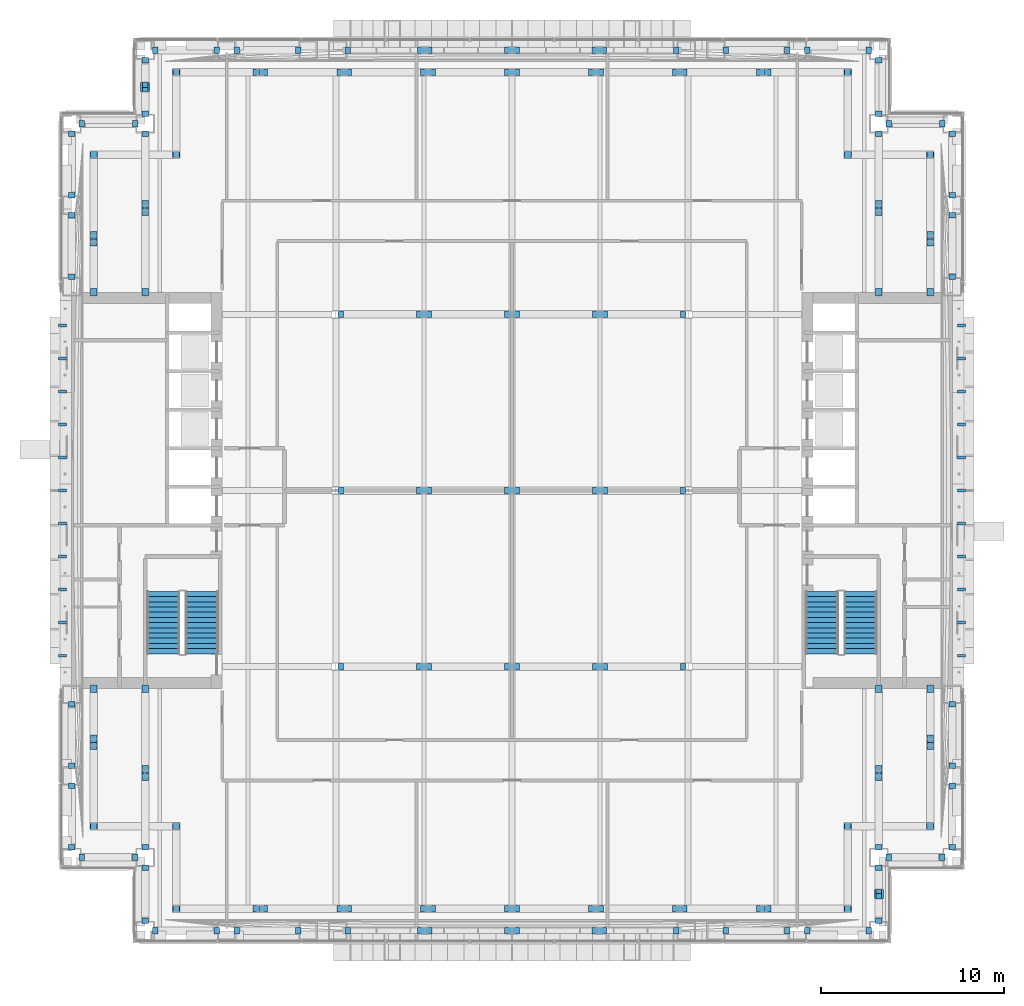
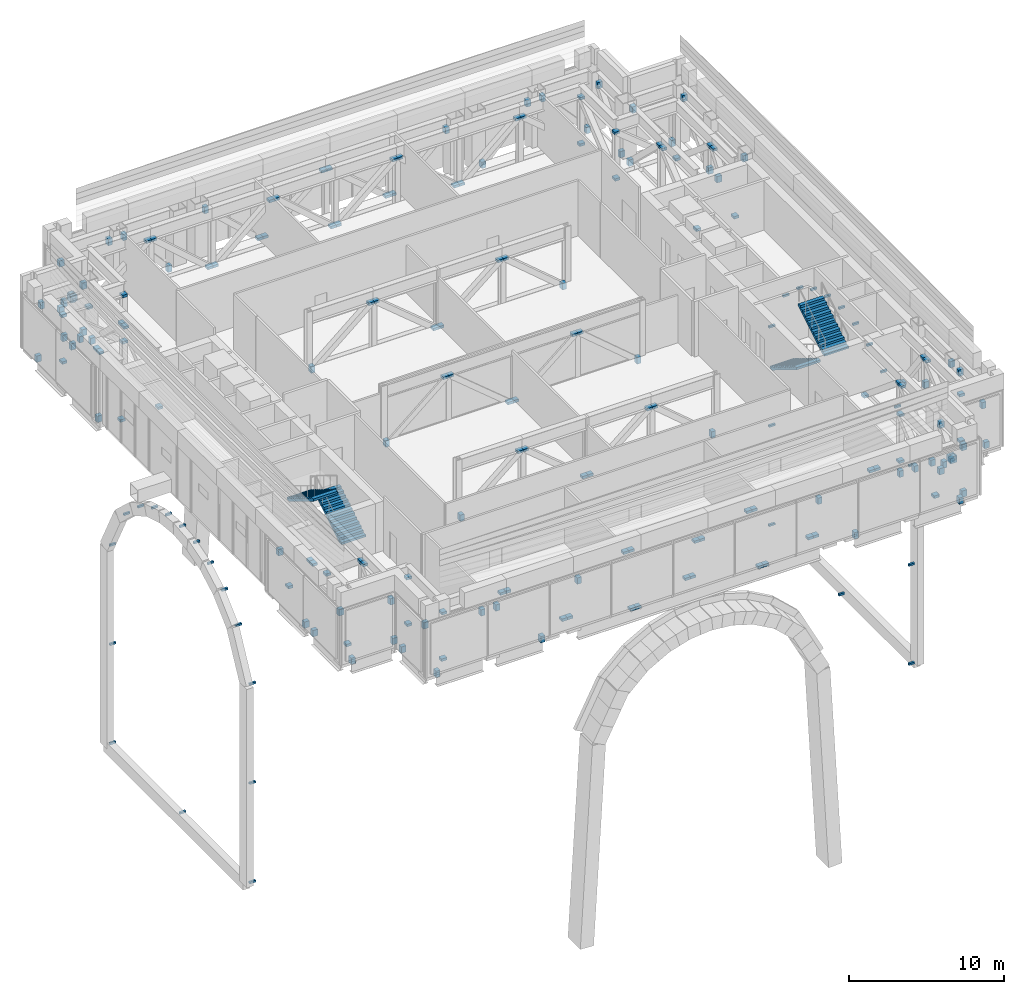
# One storey, part 20 of 39: 210 discrete accessories, 4 stair flights, 2 elements without a shape of their own.
"""IFC4 building model written with IfcOpenShell, lengths in metres."""

from ifc_helpers import new_model, si_unit, direction, frame, origin, origin_2d, place, context, subcontext, project, spatial, polyline, rectangle, outline, extrude, material, type_object, element, aggregate, save


model = new_model("IFC4")

# Units and contexts
model_context = context("Model", 3, precision=1e-05, world=origin(), true_north=direction((0.0, 1.0)))
body_context = subcontext(model_context, "Body", "Model", "MODEL_VIEW")
ifc_project = project(units=[si_unit("LENGTHUNIT", "METRE"), si_unit("AREAUNIT", "SQUARE_METRE"), si_unit("VOLUMEUNIT", "CUBIC_METRE"), si_unit("PLANEANGLEUNIT", "RADIAN"), si_unit("MASSUNIT", "GRAM", prefix="KILO")], contexts=[model_context])

# Site, building, storey
site_placement = place(None, origin())
site = spatial("IfcSite", under=ifc_project, at=site_placement, CompositionType="ELEMENT")
building_placement = place(site_placement, origin())
building = spatial("IfcBuilding", under=site, at=building_placement, Name="Cobrizo Arcos Hotel Tower", CompositionType="ELEMENT")
storey_placement = place(building_placement, frame((0.0, 0.0, 84.5)))
storey = spatial("IfcBuildingStorey", under=building, at=storey_placement, Name="L20", CompositionType="ELEMENT", Elevation=84.5)

# Stair, stair flights
ifc_material_1 = material(Name="Concrete f'c 40 MPa", Category="concrete")
stair_type = type_object("IfcStairType", Name="Exit stair", PredefinedType="HALF_TURN_STAIR", material=ifc_material_1)
stair_1_placement = place(storey_placement, origin())
stair_1 = element("IfcStair", 1, at=stair_1_placement, inside=storey, type_object=stair_type, Name="L20 Exit stair ST-W", PredefinedType="HALF_TURN_STAIR")
stair_flight_type = type_object("IfcStairFlightType", Name="Exit stair flight", PredefinedType="STRAIGHT", material=ifc_material_1)
stair_flight_1_placement = place(storey_placement, frame((-16.89990234375, -8.89990234375, 0.0), z_axis=(0.0, 0.0, 1.0), x_axis=(0.0, 1.0, 0.0)))
stair_flight_1 = element("IfcStairFlight", 2, at=stair_flight_1_placement, type_object=stair_flight_type, Name="ST-W flight 1", NumberOfRisers=13, NumberOfTreads=12, PredefinedType="STRAIGHT", RiserHeight=0.173076923, TreadLength=0.283333333, context=body_context, shape_type="SweptSolid", body=[
    extrude(outline(polyline([(0.0, 0.0), (0.0, 0.173095703125), (0.283447265625, 0.173095703125), (0.283447265625, 0.34619140625), (0.566650390625, 0.34619140625), (0.566650390625, 0.519287109375), (0.85009765625, 0.519287109375), (0.85009765625, 0.6923828125), (1.13330078125, 0.6923828125), (1.13330078125, 0.865478515625), (1.416748046875, 0.865478515625), (1.416748046875, 1.03857421875), (1.699951171875, 1.03857421875), (1.699951171875, 1.21142578125), (1.9833984375, 1.21142578125), (1.9833984375, 1.384521484375), (2.2666015625, 1.384521484375), (2.2666015625, 1.5576171875), (2.550048828125, 1.5576171875), (2.550048828125, 1.730712890625), (2.833251953125, 1.730712890625), (2.833251953125, 1.90380859375), (3.11669921875, 1.90380859375), (3.11669921875, 2.076904296875), (3.39990234375, 2.076904296875), (3.39990234375, 2.25), (3.39990234375, 1.9013671875), (0.28759765625, 0.0), (0.0, 0.0)])), frame((0.0, 0.89990234375, 0.0), z_axis=(0.0, -1.0, 0.0), x_axis=(1.0, 0.0, 0.0)), (0.0, 0.0, 1.0), 1.800048828125),
])
stair_flight_2_placement = place(storey_placement, frame((-19.0, -5.5, 2.25), z_axis=(0.0, 0.0, 1.0), x_axis=(0.0, -1.0, 0.0)))
stair_flight_2 = element("IfcStairFlight", 3, at=stair_flight_2_placement, type_object=stair_flight_type, Name="ST-W flight 2", NumberOfRisers=13, NumberOfTreads=12, PredefinedType="STRAIGHT", RiserHeight=0.173076923, TreadLength=0.283333333, context=body_context, shape_type="SweptSolid", body=[
    extrude(outline(polyline([(0.0, 0.0), (0.0, 0.173095703125), (0.283447265625, 0.173095703125), (0.283447265625, 0.34619140625), (0.566650390625, 0.34619140625), (0.566650390625, 0.519287109375), (0.85009765625, 0.519287109375), (0.85009765625, 0.6923828125), (1.13330078125, 0.6923828125), (1.13330078125, 0.865478515625), (1.416748046875, 0.865478515625), (1.416748046875, 1.03857421875), (1.699951171875, 1.03857421875), (1.699951171875, 1.21142578125), (1.9833984375, 1.21142578125), (1.9833984375, 1.384521484375), (2.2666015625, 1.384521484375), (2.2666015625, 1.5576171875), (2.550048828125, 1.5576171875), (2.550048828125, 1.730712890625), (2.833251953125, 1.730712890625), (2.833251953125, 1.90380859375), (3.11669921875, 1.90380859375), (3.11669921875, 2.076904296875), (3.39990234375, 2.076904296875), (3.39990234375, 2.25), (3.39990234375, 1.9013671875), (0.28759765625, 0.0), (0.0, 0.0)])), frame((0.0, 0.89990234375, 0.0), z_axis=(0.0, -1.0, 0.0), x_axis=(1.0, 0.0, 0.0)), (0.0, 0.0, 1.0), 1.800048828125),
])
aggregate(stair_1, [stair_flight_1, stair_flight_2])

stair_2_placement = place(storey_placement, origin())
stair_2 = element("IfcStair", 4, at=stair_2_placement, inside=storey, type_object=stair_type, Name="L20 Exit stair ST-E", PredefinedType="HALF_TURN_STAIR")
stair_flight_3_placement = place(storey_placement, frame((16.89990234375, -5.5, 0.0), z_axis=(0.0, 0.0, 1.0), x_axis=(0.0, -1.0, 0.0)))
stair_flight_3 = element("IfcStairFlight", 5, at=stair_flight_3_placement, type_object=stair_flight_type, Name="ST-E flight 1", NumberOfRisers=13, NumberOfTreads=12, PredefinedType="STRAIGHT", RiserHeight=0.173076923, TreadLength=0.283333333, context=body_context, shape_type="SweptSolid", body=[
    extrude(outline(polyline([(0.0, 0.0), (0.0, 0.173095703125), (0.283447265625, 0.173095703125), (0.283447265625, 0.34619140625), (0.566650390625, 0.34619140625), (0.566650390625, 0.519287109375), (0.85009765625, 0.519287109375), (0.85009765625, 0.6923828125), (1.13330078125, 0.6923828125), (1.13330078125, 0.865478515625), (1.416748046875, 0.865478515625), (1.416748046875, 1.03857421875), (1.699951171875, 1.03857421875), (1.699951171875, 1.21142578125), (1.9833984375, 1.21142578125), (1.9833984375, 1.384521484375), (2.2666015625, 1.384521484375), (2.2666015625, 1.5576171875), (2.550048828125, 1.5576171875), (2.550048828125, 1.730712890625), (2.833251953125, 1.730712890625), (2.833251953125, 1.90380859375), (3.11669921875, 1.90380859375), (3.11669921875, 2.076904296875), (3.39990234375, 2.076904296875), (3.39990234375, 2.25), (3.39990234375, 1.9013671875), (0.28759765625, 0.0), (0.0, 0.0)])), frame((0.0, 0.89990234375, 0.0), z_axis=(0.0, -1.0, 0.0), x_axis=(1.0, 0.0, 0.0)), (0.0, 0.0, 1.0), 1.800048828125),
])
stair_flight_4_placement = place(storey_placement, frame((19.0, -8.89990234375, 2.25), z_axis=(0.0, 0.0, 1.0), x_axis=(0.0, 1.0, 0.0)))
stair_flight_4 = element("IfcStairFlight", 6, at=stair_flight_4_placement, type_object=stair_flight_type, Name="ST-E flight 2", NumberOfRisers=13, NumberOfTreads=12, PredefinedType="STRAIGHT", RiserHeight=0.173076923, TreadLength=0.283333333, context=body_context, shape_type="SweptSolid", body=[
    extrude(outline(polyline([(0.0, 0.0), (0.0, 0.173095703125), (0.283447265625, 0.173095703125), (0.283447265625, 0.34619140625), (0.566650390625, 0.34619140625), (0.566650390625, 0.519287109375), (0.85009765625, 0.519287109375), (0.85009765625, 0.6923828125), (1.13330078125, 0.6923828125), (1.13330078125, 0.865478515625), (1.416748046875, 0.865478515625), (1.416748046875, 1.03857421875), (1.699951171875, 1.03857421875), (1.699951171875, 1.21142578125), (1.9833984375, 1.21142578125), (1.9833984375, 1.384521484375), (2.2666015625, 1.384521484375), (2.2666015625, 1.5576171875), (2.550048828125, 1.5576171875), (2.550048828125, 1.730712890625), (2.833251953125, 1.730712890625), (2.833251953125, 1.90380859375), (3.11669921875, 1.90380859375), (3.11669921875, 2.076904296875), (3.39990234375, 2.076904296875), (3.39990234375, 2.25), (3.39990234375, 1.9013671875), (0.28759765625, 0.0), (0.0, 0.0)])), frame((0.0, 0.89990234375, 0.0), z_axis=(0.0, -1.0, 0.0), x_axis=(1.0, 0.0, 0.0)), (0.0, 0.0, 1.0), 1.800048828125),
])
aggregate(stair_2, [stair_flight_3, stair_flight_4])

# Discrete accessories
ifc_material_2 = material(Name="Steel ASTM A500 Grade C", Category="steel")
discrete_accessory_type_1 = type_object("IfcDiscreteAccessoryType", Name="BR-1 fin bracket", PredefinedType="BRACKET", material=ifc_material_2)
for number, where, z_axis, x_axis, name in (
    (7, (24.5, -9.0, -8.53515625), (0.0, 0.0, 1.0), (1.0, 0.0, 0.0), "Arch rim bracket A E"),
    (8, (24.5, -7.199951171875, -5.021240234375), (0.0, 0.0, 1.0), (1.0, 0.0, 0.0), "Arch rim bracket A E"),
    (9, (24.5, -5.39990234375, -3.34033203125), (0.0, 0.0, 1.0), (1.0, 0.0, 0.0), "Arch rim bracket A E"),
    (10, (24.5, -3.60009765625, -2.3388671875), (0.0, 0.0, 1.0), (1.0, 0.0, 0.0), "Arch rim bracket A E"),
    (11, (24.5, -1.800048828125, -1.79052734375), (0.0, 0.0, 1.0), (1.0, 0.0, 0.0), "Arch rim bracket A E"),
    (12, (24.5, 0.0, -1.614990234375), (0.0, 0.0, 1.0), (1.0, 0.0, 0.0), "Arch rim bracket A E"),
    (13, (24.5, 1.800048828125, -1.79052734375), (0.0, 0.0, 1.0), (1.0, 0.0, 0.0), "Arch rim bracket A E"),
    (14, (24.5, 3.60009765625, -2.3388671875), (0.0, 0.0, 1.0), (1.0, 0.0, 0.0), "Arch rim bracket A E"),
    (15, (24.5, 5.39990234375, -3.34033203125), (0.0, 0.0, 1.0), (1.0, 0.0, 0.0), "Arch rim bracket A E"),
    (16, (24.5, 7.199951171875, -5.021240234375), (0.0, 0.0, 1.0), (1.0, 0.0, 0.0), "Arch rim bracket A E"),
    (17, (24.5, 9.0, -8.53515625), (0.0, 0.0, 1.0), (1.0, 0.0, 0.0), "Arch rim bracket A E"),
    (18, (24.5, -9.0, -24.125), (0.0, 0.0, 1.0), (1.0, 0.0, 0.0), "Arch rim bracket A E"),
    (19, (24.5, -9.0, -16.330078125), (0.0, 0.0, 1.0), (1.0, 0.0, 0.0), "Arch rim bracket A E"),
    (20, (24.5, 9.0, -24.125), (0.0, 0.0, 1.0), (1.0, 0.0, 0.0), "Arch rim bracket A E"),
    (21, (24.5, 9.0, -16.330078125), (0.0, 0.0, 1.0), (1.0, 0.0, 0.0), "Arch rim bracket A E"),
    (22, (24.5, 0.0, -24.125), (0.0, 0.0, 1.0), (1.0, 0.0, 0.0), "Arch rim bracket A E"),
    (23, (-24.5, -9.0, -8.53515625), (0.0, 0.0, 1.0), (1.0, 0.0, 0.0), "Arch rim bracket A W"),
    (24, (-24.5, -7.199951171875, -5.021240234375), (0.0, 0.0, 1.0), (1.0, 0.0, 0.0), "Arch rim bracket A W"),
    (25, (-24.5, -5.39990234375, -3.34033203125), (0.0, 0.0, 1.0), (1.0, 0.0, 0.0), "Arch rim bracket A W"),
    (26, (-24.5, -3.60009765625, -2.3388671875), (0.0, 0.0, 1.0), (1.0, 0.0, 0.0), "Arch rim bracket A W"),
    (27, (-24.5, -1.800048828125, -1.79052734375), (0.0, 0.0, 1.0), (1.0, 0.0, 0.0), "Arch rim bracket A W"),
    (28, (-24.5, 0.0, -1.614990234375), (0.0, 0.0, 1.0), (1.0, 0.0, 0.0), "Arch rim bracket A W"),
    (29, (-24.5, 1.800048828125, -1.79052734375), (0.0, 0.0, 1.0), (1.0, 0.0, 0.0), "Arch rim bracket A W"),
    (30, (-24.5, 3.60009765625, -2.3388671875), (0.0, 0.0, 1.0), (1.0, 0.0, 0.0), "Arch rim bracket A W"),
    (31, (-24.5, 5.39990234375, -3.34033203125), (0.0, 0.0, 1.0), (1.0, 0.0, 0.0), "Arch rim bracket A W"),
    (32, (-24.5, 7.199951171875, -5.021240234375), (0.0, 0.0, 1.0), (1.0, 0.0, 0.0), "Arch rim bracket A W"),
    (33, (-24.5, 9.0, -8.53515625), (0.0, 0.0, 1.0), (1.0, 0.0, 0.0), "Arch rim bracket A W"),
    (34, (-24.5, -9.0, -24.125), (0.0, 0.0, 1.0), (1.0, 0.0, 0.0), "Arch rim bracket A W"),
    (35, (-24.5, -9.0, -16.330078125), (0.0, 0.0, 1.0), (1.0, 0.0, 0.0), "Arch rim bracket A W"),
    (36, (-24.5, 9.0, -24.125), (0.0, 0.0, 1.0), (1.0, 0.0, 0.0), "Arch rim bracket A W"),
    (37, (-24.5, 9.0, -16.330078125), (0.0, 0.0, 1.0), (1.0, 0.0, 0.0), "Arch rim bracket A W"),
    (38, (-24.5, 0.0, -24.125), (0.0, 0.0, 1.0), (1.0, 0.0, 0.0), "Arch rim bracket A W"),
):
    element("IfcDiscreteAccessory", number, at=place(storey_placement, frame(where, z_axis=z_axis, x_axis=x_axis)), inside=storey, type_object=discrete_accessory_type_1, Name=name, PredefinedType="BRACKET", context=body_context, shape_type="SweptSolid", body=[
        extrude(rectangle(XDim=0.449951171875, YDim=0.14990234375, at=origin_2d()), origin(), (0.0, 0.0, 1.0), 0.14990234375),
    ])
ifc_material_3 = material(Name="Steel ASTM A572 Grade 50", Category="steel")
discrete_accessory_type_2 = type_object("IfcDiscreteAccessoryType", Name="GP-2 node plate block 500x500x500", PredefinedType="BRACKET", material=ifc_material_3)
for number, where, z_axis, x_axis, name in (
    (39, (20.0, -22.0, 1.27978515625), (0.0, 0.0, 1.0), (1.0, 0.0, 0.0), "Gusset plate bt-td-L20-009"),
    (40, (-20.0, 22.0, 1.27978515625), (0.0, 0.0, 1.0), (1.0, 0.0, 0.0), "Gusset plate bt-td-L20-025"),
):
    element("IfcDiscreteAccessory", number, at=place(storey_placement, frame(where, z_axis=z_axis, x_axis=x_axis)), inside=storey, type_object=discrete_accessory_type_2, Name=name, PredefinedType="BRACKET", context=body_context, shape_type="SweptSolid", body=[
        extrude(rectangle(XDim=0.5, YDim=0.5, at=origin_2d()), origin(), (0.0, 0.0, 1.0), 0.5),
    ])
discrete_accessory_type_3 = type_object("IfcDiscreteAccessoryType", Name="GP-3 truss end block 300x360x500", PredefinedType="BRACKET", material=ifc_material_3)
for number, where, z_axis, x_axis, name in (
    (41, (-19.449951171875, -24.0, -0.550048828125), (0.0, 0.0, 1.0), (1.0, 0.0, 0.0), "Truss end block"),
    (42, (-16.10595703125, -24.0, 3.109375), (0.0, 0.0, 1.0), (-1.0, 0.0, 0.0), "Truss end block"),
    (43, (-15.006103515625, -24.0, 3.109375), (0.0, 0.0, 1.0), (1.0, 0.0, 0.0), "Truss end block"),
    (44, (-11.660888671875, -24.0, -0.550048828125), (0.0, 0.0, 1.0), (-1.0, 0.0, 0.0), "Truss end block"),
    (45, (-8.949951171875, -24.0, 3.109375), (0.0, 0.0, 1.0), (1.0, 0.0, 0.0), "Truss end block"),
    (46, (8.949951171875, -24.0, 3.109375), (0.0, 0.0, 1.0), (-1.0, 0.0, 0.0), "Truss end block"),
    (47, (11.660888671875, -24.0, -0.550048828125), (0.0, 0.0, 1.0), (1.0, 0.0, 0.0), "Truss end block"),
    (48, (15.006103515625, -24.0, 3.109375), (0.0, 0.0, 1.0), (-1.0, 0.0, 0.0), "Truss end block"),
    (49, (16.10595703125, -24.0, 3.109375), (0.0, 0.0, 1.0), (1.0, 0.0, 0.0), "Truss end block"),
    (50, (19.449951171875, -24.0, -0.550048828125), (0.0, 0.0, 1.0), (-1.0, 0.0, 0.0), "Truss end block"),
    (51, (20.0, -23.449951171875, -0.550048828125), (0.0, 0.0, 1.0), (0.0, 1.0, 0.0), "Truss end block"),
    (52, (20.0, -20.550048828125, 3.109375), (0.0, 0.0, 1.0), (0.0, -1.0, 0.0), "Truss end block"),
    (53, (20.550048828125, -20.0, -0.550048828125), (0.0, 0.0, 1.0), (1.0, 0.0, 0.0), "Truss end block"),
    (54, (23.449951171875, -20.0, 3.109375), (0.0, 0.0, 1.0), (-1.0, 0.0, 0.0), "Truss end block"),
    (55, (24.0, -19.449951171875, -0.550048828125), (0.0, 0.0, 1.0), (0.0, 1.0, 0.0), "Truss end block"),
    (56, (24.0, -16.10595703125, 3.109375), (0.0, 0.0, 1.0), (0.0, -1.0, 0.0), "Truss end block"),
    (57, (24.0, -15.006103515625, 3.109375), (0.0, 0.0, 1.0), (0.0, 1.0, 0.0), "Truss end block"),
    (58, (24.0, -11.660888671875, -0.550048828125), (0.0, 0.0, 1.0), (0.0, -1.0, 0.0), "Truss end block"),
    (59, (24.0, 11.660888671875, 3.109375), (0.0, 0.0, 1.0), (0.0, 1.0, 0.0), "Truss end block"),
    (60, (24.0, 15.006103515625, -0.550048828125), (0.0, 0.0, 1.0), (0.0, -1.0, 0.0), "Truss end block"),
    (61, (24.0, 16.10595703125, -0.550048828125), (0.0, 0.0, 1.0), (0.0, 1.0, 0.0), "Truss end block"),
    (62, (24.0, 19.449951171875, 3.109375), (0.0, 0.0, 1.0), (0.0, -1.0, 0.0), "Truss end block"),
    (63, (23.449951171875, 20.0, -0.550048828125), (0.0, 0.0, 1.0), (-1.0, 0.0, 0.0), "Truss end block"),
    (64, (20.550048828125, 20.0, 3.109375), (0.0, 0.0, 1.0), (1.0, 0.0, 0.0), "Truss end block"),
    (65, (20.0, 20.550048828125, -0.550048828125), (0.0, 0.0, 1.0), (0.0, 1.0, 0.0), "Truss end block"),
    (66, (20.0, 23.449951171875, 3.109375), (0.0, 0.0, 1.0), (0.0, -1.0, 0.0), "Truss end block"),
    (67, (19.449951171875, 24.0, -0.550048828125), (0.0, 0.0, 1.0), (-1.0, 0.0, 0.0), "Truss end block"),
    (68, (16.10595703125, 24.0, 3.109375), (0.0, 0.0, 1.0), (1.0, 0.0, 0.0), "Truss end block"),
    (69, (15.006103515625, 24.0, 3.109375), (0.0, 0.0, 1.0), (-1.0, 0.0, 0.0), "Truss end block"),
    (70, (11.660888671875, 24.0, -0.550048828125), (0.0, 0.0, 1.0), (1.0, 0.0, 0.0), "Truss end block"),
    (71, (8.949951171875, 24.0, 3.109375), (0.0, 0.0, 1.0), (-1.0, 0.0, 0.0), "Truss end block"),
    (72, (-8.949951171875, 24.0, 3.109375), (0.0, 0.0, 1.0), (1.0, 0.0, 0.0), "Truss end block"),
    (73, (-11.660888671875, 24.0, -0.550048828125), (0.0, 0.0, 1.0), (-1.0, 0.0, 0.0), "Truss end block"),
    (74, (-15.006103515625, 24.0, 3.109375), (0.0, 0.0, 1.0), (1.0, 0.0, 0.0), "Truss end block"),
    (75, (-16.10595703125, 24.0, 3.109375), (0.0, 0.0, 1.0), (-1.0, 0.0, 0.0), "Truss end block"),
    (76, (-19.449951171875, 24.0, -0.550048828125), (0.0, 0.0, 1.0), (1.0, 0.0, 0.0), "Truss end block"),
    (77, (-20.0, 23.449951171875, -0.550048828125), (0.0, 0.0, 1.0), (0.0, -1.0, 0.0), "Truss end block"),
    (78, (-20.0, 20.550048828125, 3.109375), (0.0, 0.0, 1.0), (0.0, 1.0, 0.0), "Truss end block"),
    (79, (-20.550048828125, 20.0, -0.550048828125), (0.0, 0.0, 1.0), (-1.0, 0.0, 0.0), "Truss end block"),
    (80, (-23.449951171875, 20.0, 3.109375), (0.0, 0.0, 1.0), (1.0, 0.0, 0.0), "Truss end block"),
    (81, (-24.0, 19.449951171875, -0.550048828125), (0.0, 0.0, 1.0), (0.0, -1.0, 0.0), "Truss end block"),
    (82, (-24.0, 16.10595703125, 3.109375), (0.0, 0.0, 1.0), (0.0, 1.0, 0.0), "Truss end block"),
    (83, (-24.0, 15.006103515625, 3.109375), (0.0, 0.0, 1.0), (0.0, -1.0, 0.0), "Truss end block"),
    (84, (-24.0, 11.660888671875, -0.550048828125), (0.0, 0.0, 1.0), (0.0, 1.0, 0.0), "Truss end block"),
    (85, (-24.0, -11.660888671875, 3.109375), (0.0, 0.0, 1.0), (0.0, -1.0, 0.0), "Truss end block"),
    (86, (-24.0, -15.006103515625, -0.550048828125), (0.0, 0.0, 1.0), (0.0, 1.0, 0.0), "Truss end block"),
    (87, (-24.0, -16.10595703125, -0.550048828125), (0.0, 0.0, 1.0), (0.0, -1.0, 0.0), "Truss end block"),
    (88, (-24.0, -19.449951171875, 3.109375), (0.0, 0.0, 1.0), (0.0, 1.0, 0.0), "Truss end block"),
    (89, (-23.449951171875, -20.0, -0.550048828125), (0.0, 0.0, 1.0), (1.0, 0.0, 0.0), "Truss end block"),
    (90, (-20.550048828125, -20.0, 3.109375), (0.0, 0.0, 1.0), (-1.0, 0.0, 0.0), "Truss end block"),
    (91, (-20.0, -20.550048828125, -0.550048828125), (0.0, 0.0, 1.0), (0.0, -1.0, 0.0), "Truss end block"),
    (92, (-20.0, -23.449951171875, 3.109375), (0.0, 0.0, 1.0), (0.0, 1.0, 0.0), "Truss end block"),
    (93, (20.0, -19.449951171875, -0.550048828125), (0.0, 0.0, 1.0), (0.0, 1.0, 0.0), "Truss end block"),
    (94, (20.0, -20.550048828125, -0.550048828125), (0.0, 0.0, 1.0), (0.0, -1.0, 0.0), "Truss end block"),
    (95, (20.0, -23.449951171875, 3.109375), (0.0, 0.0, 1.0), (0.0, 1.0, 0.0), "Truss end block"),
    (96, (20.0, 19.449951171875, -0.550048828125), (0.0, 0.0, 1.0), (0.0, -1.0, 0.0), "Truss end block"),
    (97, (-20.0, -19.449951171875, -0.550048828125), (0.0, 0.0, 1.0), (0.0, 1.0, 0.0), "Truss end block"),
    (98, (-20.0, 19.449951171875, -0.550048828125), (0.0, 0.0, 1.0), (0.0, -1.0, 0.0), "Truss end block"),
    (99, (-20.0, 20.550048828125, -0.550048828125), (0.0, 0.0, 1.0), (0.0, 1.0, 0.0), "Truss end block"),
    (100, (-20.0, 23.449951171875, 3.109375), (0.0, 0.0, 1.0), (0.0, -1.0, 0.0), "Truss end block"),
    (101, (-9.345458984375, -9.60009765625, -0.550048828125), (0.0, 0.0, 1.0), (1.0, 0.0, 0.0), "Truss end block"),
    (102, (9.345458984375, -9.60009765625, -0.550048828125), (0.0, 0.0, 1.0), (-1.0, 0.0, 0.0), "Truss end block"),
    (103, (-9.345458984375, 0.0, -0.550048828125), (0.0, 0.0, 1.0), (1.0, 0.0, 0.0), "Truss end block"),
    (104, (9.345458984375, 0.0, -0.550048828125), (0.0, 0.0, 1.0), (-1.0, 0.0, 0.0), "Truss end block"),
    (105, (-9.345458984375, 9.60009765625, -0.550048828125), (0.0, 0.0, 1.0), (1.0, 0.0, 0.0), "Truss end block"),
    (106, (9.345458984375, 9.60009765625, -0.550048828125), (0.0, 0.0, 1.0), (-1.0, 0.0, 0.0), "Truss end block"),
):
    element("IfcDiscreteAccessory", number, at=place(storey_placement, frame(where, z_axis=z_axis, x_axis=x_axis)), inside=storey, type_object=discrete_accessory_type_3, Name=name, PredefinedType="BRACKET", context=body_context, shape_type="SweptSolid", body=[
        extrude(rectangle(XDim=0.300048828125, YDim=0.360107421875, at=origin_2d()), origin(), (0.0, 0.0, 1.0), 0.5),
    ])
discrete_accessory_type_4 = type_object("IfcDiscreteAccessoryType", Name="GP-4 truss chord plate 400x360x200", PredefinedType="BRACKET", material=ifc_material_3)
for number, where, z_axis, x_axis, name in (
    (107, (-4.949951171875, -24.0, -0.39990234375), (0.0, 0.0, 1.0), (1.0, 0.0, 0.0), "Truss chord plate"),
    (108, (-4.550048828125, -24.0, -0.39990234375), (0.0, 0.0, 1.0), (1.0, 0.0, 0.0), "Truss chord plate"),
    (109, (-0.199951171875, -24.0, 3.25927734375), (0.0, 0.0, 1.0), (1.0, 0.0, 0.0), "Truss chord plate"),
    (110, (0.199951171875, -24.0, 3.25927734375), (0.0, 0.0, 1.0), (1.0, 0.0, 0.0), "Truss chord plate"),
    (111, (4.550048828125, -24.0, -0.39990234375), (0.0, 0.0, 1.0), (1.0, 0.0, 0.0), "Truss chord plate"),
    (112, (4.949951171875, -24.0, -0.39990234375), (0.0, 0.0, 1.0), (1.0, 0.0, 0.0), "Truss chord plate"),
    (113, (4.949951171875, 24.0, -0.39990234375), (0.0, 0.0, 1.0), (-1.0, 0.0, 0.0), "Truss chord plate"),
    (114, (4.550048828125, 24.0, -0.39990234375), (0.0, 0.0, 1.0), (-1.0, 0.0, 0.0), "Truss chord plate"),
    (115, (0.199951171875, 24.0, 3.25927734375), (0.0, 0.0, 1.0), (-1.0, 0.0, 0.0), "Truss chord plate"),
    (116, (-0.199951171875, 24.0, 3.25927734375), (0.0, 0.0, 1.0), (-1.0, 0.0, 0.0), "Truss chord plate"),
    (117, (-4.550048828125, 24.0, -0.39990234375), (0.0, 0.0, 1.0), (-1.0, 0.0, 0.0), "Truss chord plate"),
    (118, (-4.949951171875, 24.0, -0.39990234375), (0.0, 0.0, 1.0), (-1.0, 0.0, 0.0), "Truss chord plate"),
    (119, (-18.300048828125, -22.800048828125, -0.39990234375), (0.0, 0.0, 1.0), (1.0, 0.0, 0.0), "Truss chord plate"),
    (120, (-13.925048828125, -22.800048828125, 3.25927734375), (0.0, 0.0, 1.0), (1.0, 0.0, 0.0), "Truss chord plate"),
    (121, (-13.52490234375, -22.800048828125, 3.25927734375), (0.0, 0.0, 1.0), (1.0, 0.0, 0.0), "Truss chord plate"),
    (122, (-9.35009765625, -22.800048828125, -0.39990234375), (0.0, 0.0, 1.0), (1.0, 0.0, 0.0), "Truss chord plate"),
    (123, (-8.949951171875, -22.800048828125, -0.39990234375), (0.0, 0.0, 1.0), (1.0, 0.0, 0.0), "Truss chord plate"),
    (124, (-4.77490234375, -22.800048828125, 3.25927734375), (0.0, 0.0, 1.0), (1.0, 0.0, 0.0), "Truss chord plate"),
    (125, (-4.375, -22.800048828125, 3.25927734375), (0.0, 0.0, 1.0), (1.0, 0.0, 0.0), "Truss chord plate"),
    (126, (-0.199951171875, -22.800048828125, -0.39990234375), (0.0, 0.0, 1.0), (1.0, 0.0, 0.0), "Truss chord plate"),
    (127, (0.199951171875, -22.800048828125, -0.39990234375), (0.0, 0.0, 1.0), (1.0, 0.0, 0.0), "Truss chord plate"),
    (128, (4.375, -22.800048828125, 3.25927734375), (0.0, 0.0, 1.0), (1.0, 0.0, 0.0), "Truss chord plate"),
    (129, (4.77490234375, -22.800048828125, 3.25927734375), (0.0, 0.0, 1.0), (1.0, 0.0, 0.0), "Truss chord plate"),
    (130, (8.949951171875, -22.800048828125, -0.39990234375), (0.0, 0.0, 1.0), (1.0, 0.0, 0.0), "Truss chord plate"),
    (131, (9.35009765625, -22.800048828125, -0.39990234375), (0.0, 0.0, 1.0), (1.0, 0.0, 0.0), "Truss chord plate"),
    (132, (13.52490234375, -22.800048828125, 3.25927734375), (0.0, 0.0, 1.0), (1.0, 0.0, 0.0), "Truss chord plate"),
    (133, (13.925048828125, -22.800048828125, 3.25927734375), (0.0, 0.0, 1.0), (1.0, 0.0, 0.0), "Truss chord plate"),
    (134, (18.300048828125, -22.800048828125, -0.39990234375), (0.0, 0.0, 1.0), (1.0, 0.0, 0.0), "Truss chord plate"),
    (135, (18.300048828125, -22.800048828125, -0.39990234375), (0.0, 0.0, 1.0), (0.0, 1.0, 0.0), "Truss chord plate"),
    (136, (18.300048828125, -18.300048828125, 3.25927734375), (0.0, 0.0, 1.0), (0.0, 1.0, 0.0), "Truss chord plate"),
    (137, (18.300048828125, -18.300048828125, -0.39990234375), (0.0, 0.0, 1.0), (1.0, 0.0, 0.0), "Truss chord plate"),
    (138, (22.800048828125, -18.300048828125, 3.25927734375), (0.0, 0.0, 1.0), (1.0, 0.0, 0.0), "Truss chord plate"),
    (139, (22.800048828125, -18.300048828125, -0.39990234375), (0.0, 0.0, 1.0), (0.0, 1.0, 0.0), "Truss chord plate"),
    (140, (22.800048828125, -13.925048828125, 3.25927734375), (0.0, 0.0, 1.0), (0.0, 1.0, 0.0), "Truss chord plate"),
    (141, (22.800048828125, -13.52490234375, 3.25927734375), (0.0, 0.0, 1.0), (0.0, 1.0, 0.0), "Truss chord plate"),
    (142, (22.800048828125, -10.801025390625, -0.39990234375), (0.0, 0.0, 1.0), (0.0, 1.0, 0.0), "Truss chord plate"),
    (143, (22.800048828125, 10.801025390625, -0.39990234375), (0.0, 0.0, 1.0), (0.0, 1.0, 0.0), "Truss chord plate"),
    (144, (22.800048828125, 13.52490234375, 3.25927734375), (0.0, 0.0, 1.0), (0.0, 1.0, 0.0), "Truss chord plate"),
    (145, (22.800048828125, 13.925048828125, 3.25927734375), (0.0, 0.0, 1.0), (0.0, 1.0, 0.0), "Truss chord plate"),
    (146, (22.800048828125, 18.300048828125, -0.39990234375), (0.0, 0.0, 1.0), (0.0, 1.0, 0.0), "Truss chord plate"),
    (147, (22.800048828125, 18.300048828125, -0.39990234375), (0.0, 0.0, 1.0), (-1.0, 0.0, 0.0), "Truss chord plate"),
    (148, (18.300048828125, 18.300048828125, 3.25927734375), (0.0, 0.0, 1.0), (-1.0, 0.0, 0.0), "Truss chord plate"),
    (149, (18.300048828125, 18.300048828125, -0.39990234375), (0.0, 0.0, 1.0), (0.0, 1.0, 0.0), "Truss chord plate"),
    (150, (18.300048828125, 22.800048828125, 3.25927734375), (0.0, 0.0, 1.0), (0.0, 1.0, 0.0), "Truss chord plate"),
    (151, (18.300048828125, 22.800048828125, -0.39990234375), (0.0, 0.0, 1.0), (-1.0, 0.0, 0.0), "Truss chord plate"),
    (152, (13.925048828125, 22.800048828125, 3.25927734375), (0.0, 0.0, 1.0), (-1.0, 0.0, 0.0), "Truss chord plate"),
    (153, (13.52490234375, 22.800048828125, 3.25927734375), (0.0, 0.0, 1.0), (-1.0, 0.0, 0.0), "Truss chord plate"),
    (154, (9.35009765625, 22.800048828125, -0.39990234375), (0.0, 0.0, 1.0), (-1.0, 0.0, 0.0), "Truss chord plate"),
    (155, (8.949951171875, 22.800048828125, -0.39990234375), (0.0, 0.0, 1.0), (-1.0, 0.0, 0.0), "Truss chord plate"),
    (156, (4.77490234375, 22.800048828125, 3.25927734375), (0.0, 0.0, 1.0), (-1.0, 0.0, 0.0), "Truss chord plate"),
    (157, (4.375, 22.800048828125, 3.25927734375), (0.0, 0.0, 1.0), (-1.0, 0.0, 0.0), "Truss chord plate"),
    (158, (0.199951171875, 22.800048828125, -0.39990234375), (0.0, 0.0, 1.0), (-1.0, 0.0, 0.0), "Truss chord plate"),
    (159, (-0.199951171875, 22.800048828125, -0.39990234375), (0.0, 0.0, 1.0), (-1.0, 0.0, 0.0), "Truss chord plate"),
    (160, (-4.375, 22.800048828125, 3.25927734375), (0.0, 0.0, 1.0), (-1.0, 0.0, 0.0), "Truss chord plate"),
    (161, (-4.77490234375, 22.800048828125, 3.25927734375), (0.0, 0.0, 1.0), (-1.0, 0.0, 0.0), "Truss chord plate"),
    (162, (-8.949951171875, 22.800048828125, -0.39990234375), (0.0, 0.0, 1.0), (-1.0, 0.0, 0.0), "Truss chord plate"),
    (163, (-9.35009765625, 22.800048828125, -0.39990234375), (0.0, 0.0, 1.0), (-1.0, 0.0, 0.0), "Truss chord plate"),
    (164, (-13.52490234375, 22.800048828125, 3.25927734375), (0.0, 0.0, 1.0), (-1.0, 0.0, 0.0), "Truss chord plate"),
    (165, (-13.925048828125, 22.800048828125, 3.25927734375), (0.0, 0.0, 1.0), (-1.0, 0.0, 0.0), "Truss chord plate"),
    (166, (-18.300048828125, 22.800048828125, -0.39990234375), (0.0, 0.0, 1.0), (-1.0, 0.0, 0.0), "Truss chord plate"),
    (167, (-18.300048828125, 22.800048828125, -0.39990234375), (0.0, 0.0, 1.0), (0.0, -1.0, 0.0), "Truss chord plate"),
    (168, (-18.300048828125, 18.300048828125, 3.25927734375), (0.0, 0.0, 1.0), (0.0, -1.0, 0.0), "Truss chord plate"),
    (169, (-18.300048828125, 18.300048828125, -0.39990234375), (0.0, 0.0, 1.0), (-1.0, 0.0, 0.0), "Truss chord plate"),
    (170, (-22.800048828125, 18.300048828125, 3.25927734375), (0.0, 0.0, 1.0), (-1.0, 0.0, 0.0), "Truss chord plate"),
    (171, (-22.800048828125, 18.300048828125, -0.39990234375), (0.0, 0.0, 1.0), (0.0, -1.0, 0.0), "Truss chord plate"),
    (172, (-22.800048828125, 13.925048828125, 3.25927734375), (0.0, 0.0, 1.0), (0.0, -1.0, 0.0), "Truss chord plate"),
    (173, (-22.800048828125, 13.52490234375, 3.25927734375), (0.0, 0.0, 1.0), (0.0, -1.0, 0.0), "Truss chord plate"),
    (174, (-22.800048828125, 10.801025390625, -0.39990234375), (0.0, 0.0, 1.0), (0.0, -1.0, 0.0), "Truss chord plate"),
    (175, (-22.800048828125, -10.801025390625, -0.39990234375), (0.0, 0.0, 1.0), (0.0, -1.0, 0.0), "Truss chord plate"),
    (176, (-22.800048828125, -13.52490234375, 3.25927734375), (0.0, 0.0, 1.0), (0.0, -1.0, 0.0), "Truss chord plate"),
    (177, (-22.800048828125, -13.925048828125, 3.25927734375), (0.0, 0.0, 1.0), (0.0, -1.0, 0.0), "Truss chord plate"),
    (178, (-22.800048828125, -18.300048828125, -0.39990234375), (0.0, 0.0, 1.0), (0.0, -1.0, 0.0), "Truss chord plate"),
    (179, (-22.800048828125, -18.300048828125, -0.39990234375), (0.0, 0.0, 1.0), (1.0, 0.0, 0.0), "Truss chord plate"),
    (180, (-18.300048828125, -18.300048828125, 3.25927734375), (0.0, 0.0, 1.0), (1.0, 0.0, 0.0), "Truss chord plate"),
    (181, (-18.300048828125, -18.300048828125, -0.39990234375), (0.0, 0.0, 1.0), (0.0, -1.0, 0.0), "Truss chord plate"),
    (182, (-18.300048828125, -22.800048828125, 3.25927734375), (0.0, 0.0, 1.0), (0.0, -1.0, 0.0), "Truss chord plate"),
    (183, (20.0, -10.800048828125, -0.39990234375), (0.0, 0.0, 1.0), (0.0, -1.0, 0.0), "Truss chord plate"),
    (184, (20.0, -15.199951171875, 3.25927734375), (0.0, 0.0, 1.0), (0.0, -1.0, 0.0), "Truss chord plate"),
    (185, (20.0, -15.60009765625, 3.25927734375), (0.0, 0.0, 1.0), (0.0, -1.0, 0.0), "Truss chord plate"),
    (186, (20.0, 10.800048828125, -0.39990234375), (0.0, 0.0, 1.0), (0.0, 1.0, 0.0), "Truss chord plate"),
    (187, (20.0, 15.199951171875, 3.25927734375), (0.0, 0.0, 1.0), (0.0, 1.0, 0.0), "Truss chord plate"),
    (188, (20.0, 15.60009765625, 3.25927734375), (0.0, 0.0, 1.0), (0.0, 1.0, 0.0), "Truss chord plate"),
    (189, (-20.0, -10.800048828125, -0.39990234375), (0.0, 0.0, 1.0), (0.0, -1.0, 0.0), "Truss chord plate"),
    (190, (-20.0, -15.199951171875, 3.25927734375), (0.0, 0.0, 1.0), (0.0, -1.0, 0.0), "Truss chord plate"),
    (191, (-20.0, -15.60009765625, 3.25927734375), (0.0, 0.0, 1.0), (0.0, -1.0, 0.0), "Truss chord plate"),
    (192, (-20.0, 10.800048828125, -0.39990234375), (0.0, 0.0, 1.0), (0.0, 1.0, 0.0), "Truss chord plate"),
    (193, (-20.0, 15.199951171875, 3.25927734375), (0.0, 0.0, 1.0), (0.0, 1.0, 0.0), "Truss chord plate"),
    (194, (-20.0, 15.60009765625, 3.25927734375), (0.0, 0.0, 1.0), (0.0, 1.0, 0.0), "Truss chord plate"),
    (195, (-5.0, -9.60009765625, 3.25927734375), (0.0, 0.0, 1.0), (1.0, 0.0, 0.0), "Truss chord plate"),
    (196, (-4.60009765625, -9.60009765625, 3.25927734375), (0.0, 0.0, 1.0), (1.0, 0.0, 0.0), "Truss chord plate"),
    (197, (-0.199951171875, -9.60009765625, -0.39990234375), (0.0, 0.0, 1.0), (1.0, 0.0, 0.0), "Truss chord plate"),
    (198, (0.199951171875, -9.60009765625, -0.39990234375), (0.0, 0.0, 1.0), (1.0, 0.0, 0.0), "Truss chord plate"),
    (199, (4.60009765625, -9.60009765625, 3.25927734375), (0.0, 0.0, 1.0), (1.0, 0.0, 0.0), "Truss chord plate"),
    (200, (5.0, -9.60009765625, 3.25927734375), (0.0, 0.0, 1.0), (1.0, 0.0, 0.0), "Truss chord plate"),
    (201, (-5.0, 0.0, 3.25927734375), (0.0, 0.0, 1.0), (1.0, 0.0, 0.0), "Truss chord plate"),
    (202, (-4.60009765625, 0.0, 3.25927734375), (0.0, 0.0, 1.0), (1.0, 0.0, 0.0), "Truss chord plate"),
    (203, (-0.199951171875, 0.0, -0.39990234375), (0.0, 0.0, 1.0), (1.0, 0.0, 0.0), "Truss chord plate"),
    (204, (0.199951171875, 0.0, -0.39990234375), (0.0, 0.0, 1.0), (1.0, 0.0, 0.0), "Truss chord plate"),
    (205, (4.60009765625, 0.0, 3.25927734375), (0.0, 0.0, 1.0), (1.0, 0.0, 0.0), "Truss chord plate"),
    (206, (5.0, 0.0, 3.25927734375), (0.0, 0.0, 1.0), (1.0, 0.0, 0.0), "Truss chord plate"),
    (207, (-5.0, 9.60009765625, 3.25927734375), (0.0, 0.0, 1.0), (1.0, 0.0, 0.0), "Truss chord plate"),
    (208, (-4.60009765625, 9.60009765625, 3.25927734375), (0.0, 0.0, 1.0), (1.0, 0.0, 0.0), "Truss chord plate"),
    (209, (-0.199951171875, 9.60009765625, -0.39990234375), (0.0, 0.0, 1.0), (1.0, 0.0, 0.0), "Truss chord plate"),
    (210, (0.199951171875, 9.60009765625, -0.39990234375), (0.0, 0.0, 1.0), (1.0, 0.0, 0.0), "Truss chord plate"),
    (211, (4.60009765625, 9.60009765625, 3.25927734375), (0.0, 0.0, 1.0), (1.0, 0.0, 0.0), "Truss chord plate"),
    (212, (5.0, 9.60009765625, 3.25927734375), (0.0, 0.0, 1.0), (1.0, 0.0, 0.0), "Truss chord plate"),
):
    element("IfcDiscreteAccessory", number, at=place(storey_placement, frame(where, z_axis=z_axis, x_axis=x_axis)), inside=storey, type_object=discrete_accessory_type_4, Name=name, PredefinedType="BRACKET", context=body_context, shape_type="SweptSolid", body=[
        extrude(rectangle(XDim=0.39990234375, YDim=0.360107421875, at=origin_2d()), origin(), (0.0, 0.0, 1.0), 0.199951171875),
    ])
discrete_accessory_type_5 = type_object("IfcDiscreteAccessoryType", Name="GP-5 brace end plate 300x300x300", PredefinedType="BRACKET", material=ifc_material_3)
for number, where, z_axis, x_axis, name in (
    (213, (20.0, -21.889892578125, 1.23779296875), (0.0, 0.0, 1.0), (1.0, 0.0, 0.0), "Brace end plate"),
    (214, (20.0, -22.110107421875, 1.521484375), (0.0, 0.0, 1.0), (1.0, 0.0, 0.0), "Brace end plate"),
    (215, (-20.0, 21.889892578125, 1.23779296875), (0.0, 0.0, 1.0), (1.0, 0.0, 0.0), "Brace end plate"),
    (216, (-20.0, 22.110107421875, 1.521484375), (0.0, 0.0, 1.0), (1.0, 0.0, 0.0), "Brace end plate"),
):
    element("IfcDiscreteAccessory", number, at=place(storey_placement, frame(where, z_axis=z_axis, x_axis=x_axis)), inside=storey, type_object=discrete_accessory_type_5, Name=name, PredefinedType="BRACKET", context=body_context, shape_type="SweptSolid", body=[
        extrude(rectangle(XDim=0.300048828125, YDim=0.300048828125, at=origin_2d()), origin(), (0.0, 0.0, 1.0), 0.300048828125),
    ])

save(model, "model.ifc")
